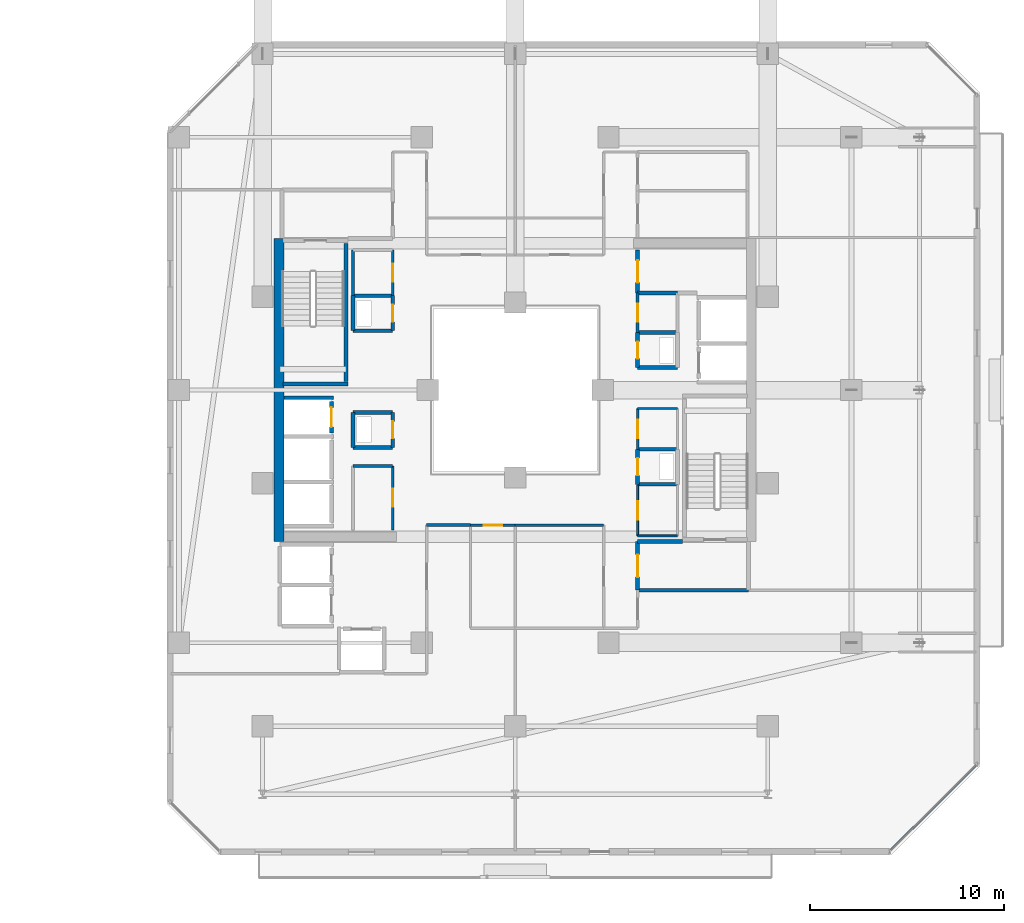
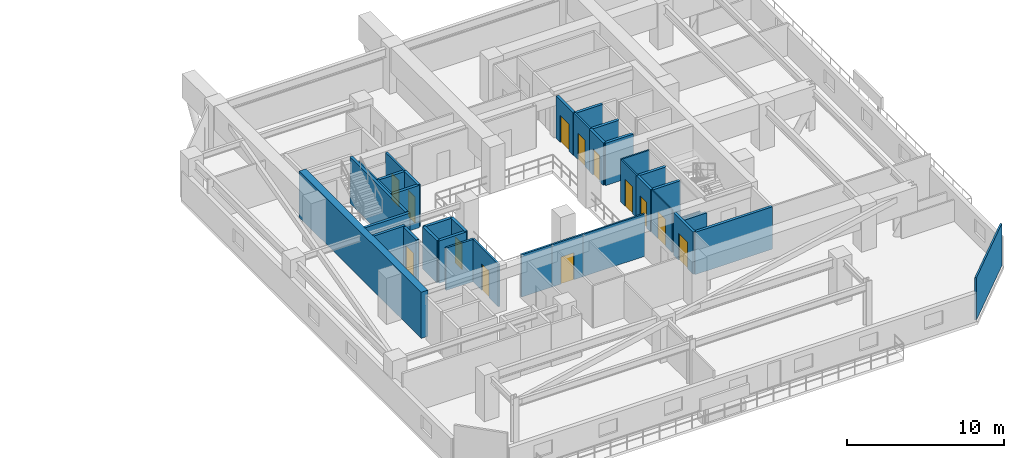
# One storey, part 25 of 35: 37 walls, 13 doors, 13 openings.
"""IFC4 building model written with IfcOpenShell, lengths in metres."""

import ifcopenshell
import ifcopenshell.guid

model = None  # the IFC model being written
_history = None  # IfcOwnerHistory: only IFC2X3 demands one
_inside = {}  # id of a spatial element -> (the spatial element, [elements in it])
_under = {}  # id of a project, library or spatial element -> (it, [spatial elements below it])
_declared = {}  # id of a project -> (the project, [libraries it declares])
_typed = {}  # id of a type object -> (the type object, [elements of that type])
_made_of = {}  # id of a material, layer set ... -> (it, [elements and type objects made of it])


def new_model(schema):
    """Start an empty IFC model of exactly this schema.

    Asked for "IFC4X3", IfcOpenShell would pick the latest addendum, in which some entities
    have other attributes; the version numbers below select the first issue.
    IFC2X3 requires an IfcOwnerHistory on every rooted entity: one is made here for all.
    """
    global model, _history
    if schema == "IFC4X3":
        model = ifcopenshell.file(schema_version=(4, 3, 0, 0))
    else:
        model = ifcopenshell.file(schema=schema)
    _inside.clear()
    _under.clear()
    _declared.clear()
    _typed.clear()
    _made_of.clear()
    _history = None
    if model.schema == "IFC2X3":
        org = make("IfcOrganization", Name="unknown")
        user = make(
            "IfcPersonAndOrganization",
            ThePerson=make("IfcPerson", FamilyName="unknown"),
            TheOrganization=org,
        )
        app = make(
            "IfcApplication",
            ApplicationDeveloper=org,
            Version="unknown",
            ApplicationFullName="unknown",
            ApplicationIdentifier="unknown",
        )
        _history = make(
            "IfcOwnerHistory",
            OwningUser=user,
            OwningApplication=app,
            ChangeAction="ADDED",
            CreationDate=0,
        )
    return model


def make(cls, **values):
    """One entity of the class cls with the attributes given. An attribute that is None is left unset."""
    return model.create_entity(
        cls, **{name: value for name, value in values.items() if value is not None}
    )


def rooted(cls, **values):
    """An entity with a GlobalId (a new one), such as an element, a storey or a relation."""
    return make(cls, GlobalId=ifcopenshell.guid.new(), OwnerHistory=_history, **values)


def si_unit(unit_type, name, prefix=None):
    """IfcSIUnit, for example si_unit("LENGTHUNIT", "METRE", prefix="MILLI")."""
    return make("IfcSIUnit", UnitType=unit_type, Prefix=prefix, Name=name)


def assignment(units):
    """IfcUnitAssignment: the units of a project."""
    return None if units is None else make("IfcUnitAssignment", Units=units)


def point(xyz):
    """IfcCartesianPoint."""
    return None if xyz is None else make("IfcCartesianPoint", Coordinates=xyz)


def direction(xyz):
    """IfcDirection."""
    return None if xyz is None else make("IfcDirection", DirectionRatios=xyz)


def frame(location, z_axis=None, x_axis=None):
    """IfcAxis2Placement3D, a coordinate frame: its origin and axes. An axis left out is left unset."""
    return make(
        "IfcAxis2Placement3D",
        Location=point(location),
        Axis=direction(z_axis),
        RefDirection=direction(x_axis),
    )


def frame_2d(location, x_axis=None):
    """IfcAxis2Placement2D, a coordinate frame in the plane: its origin and x axis."""
    return make(
        "IfcAxis2Placement2D", Location=point(location), RefDirection=direction(x_axis)
    )


def origin():
    """The frame at (0, 0, 0) with its axes left unset."""
    return frame((0.0, 0.0, 0.0))


def place(relative_to, where):
    """IfcLocalPlacement: puts the frame where relative to a parent placement (None: the world)."""
    return make(
        "IfcLocalPlacement", PlacementRelTo=relative_to, RelativePlacement=where
    )


def context(
    kind, dimensions, precision=None, world=None, true_north=None, identifier=None
):
    """IfcGeometricRepresentationContext, for example the 3D "Model" context."""
    return make(
        "IfcGeometricRepresentationContext",
        ContextIdentifier=identifier,
        ContextType=kind,
        CoordinateSpaceDimension=dimensions,
        Precision=precision,
        WorldCoordinateSystem=world,
        TrueNorth=true_north,
    )


def subcontext(parent, identifier, kind, view, scale=None):
    """IfcGeometricRepresentationSubContext, for example "Body" below "Model"."""
    return make(
        "IfcGeometricRepresentationSubContext",
        ContextIdentifier=identifier,
        ContextType=kind,
        ParentContext=parent,
        TargetScale=scale,
        TargetView=view,
    )


def project(units=None, contexts=None):
    """IfcProject with its units and contexts."""
    return rooted(
        "IfcProject",
        Name="project",
        RepresentationContexts=contexts,
        UnitsInContext=assignment(units),
    )


def spatial(cls, under=None, at=None, **own):
    """A site, building, storey or space (cls), placed at a placement, below another one or the project."""
    s = rooted(cls, ObjectPlacement=at, **own)
    if under is not None:
        _under.setdefault(under.id(), (under, []))[1].append(s)
    return s


def profile(cls, at=None, kind="AREA", **sizes):
    """A parametric profile (cls). Its sizes go by their IFC names, for example OverallWidth=200.0."""
    return make(cls, ProfileType=kind, Position=at, **sizes)


def rectangle(**sizes):
    """IfcRectangleProfileDef."""
    return profile("IfcRectangleProfileDef", **sizes)


def extrude(swept, where, along, depth):
    """IfcExtrudedAreaSolid: the profile swept, set in the frame where, extruded along a direction by depth."""
    return make(
        "IfcExtrudedAreaSolid",
        SweptArea=swept,
        Position=where,
        ExtrudedDirection=direction(along),
        Depth=depth,
    )


def shape(context_of_items, identifier, shape_type, items):
    """IfcShapeRepresentation: the items that make up one representation, for example the "Body"."""
    return make(
        "IfcShapeRepresentation",
        ContextOfItems=context_of_items,
        RepresentationIdentifier=identifier,
        RepresentationType=shape_type,
        Items=items,
    )


def material(Name=None, Category=None):
    """IfcMaterial."""
    return make("IfcMaterial", Name=Name, Category=Category)


def layer(
    of_material, thickness, ventilated=None, Name=None, Category=None, Priority=None
):
    """IfcMaterialLayer: one layer of a wall or slab, of a material (None: an air gap)."""
    return make(
        "IfcMaterialLayer",
        Material=of_material,
        LayerThickness=thickness,
        IsVentilated=ventilated,
        Name=Name,
        Category=Category,
        Priority=Priority,
    )


def layer_set(layers, Name=None):
    """IfcMaterialLayerSet."""
    return make("IfcMaterialLayerSet", MaterialLayers=layers, LayerSetName=Name)


def made_of(thing, what):
    """Note that an element or type object is made of a material, layer set ...; save() writes the relation."""
    if what is not None:
        _made_of.setdefault(what.id(), (what, []))[1].append(thing)
    return thing


def type_object(cls, material=None, **own):
    """A type object (cls), such as IfcWallType, which elements share."""
    return made_of(rooted(cls, **own), material)


def element(
    cls,
    number,
    at=None,
    inside=None,
    cuts=None,
    type_object=None,
    material=None,
    context=None,
    identifier="Body",
    shape_type=None,
    held_by="IfcProductDefinitionShape",
    body=None,
    shapes=None,
    **own,
):
    """One element of the class cls, such as IfcWall. Its Tag is "e" and its number.

    at: its placement. inside: the storey or other place that contains it. cuts: it is an
    opening in that element (IfcRelVoidsElement). A single representation is given by context,
    identifier, shape_type and body (its items); several are given by shapes. held_by: the class
    of the entity that holds the representations. save() writes the other relations.
    """
    e = rooted(cls, Tag="e%d" % number, ObjectPlacement=at, **own)
    if body is not None:
        shapes = [shape(context, identifier, shape_type, body)]
    if shapes is not None:
        e.Representation = make(held_by, Representations=shapes)
    if inside is not None:
        _inside.setdefault(inside.id(), (inside, []))[1].append(e)
    if cuts is not None:
        rooted(
            "IfcRelVoidsElement", RelatingBuildingElement=cuts, RelatedOpeningElement=e
        )
    if type_object is not None:
        _typed.setdefault(type_object.id(), (type_object, []))[1].append(e)
    return made_of(e, material)


def fill(opening, filler):
    """IfcRelFillsElement: the door or window that sits in an opening."""
    return rooted(
        "IfcRelFillsElement",
        RelatingOpeningElement=opening,
        RelatedBuildingElement=filler,
    )


def aggregate(whole, parts):
    """IfcRelAggregates: a whole, such as a stair, and the parts it consists of."""
    return rooted("IfcRelAggregates", RelatingObject=whole, RelatedObjects=parts)


def save(model, path):
    """Write the relations noted so far, then the file.

    IfcRelAggregates (storeys below a building ...), IfcRelContainedInSpatialStructure (elements
    in a storey), IfcRelDefinesByType, IfcRelAssociatesMaterial and IfcRelDeclares: one each for
    every whole, place, type object, material and project.
    """
    for whole, parts in _under.values():
        aggregate(whole, parts)
    for where, things in _inside.values():
        rooted(
            "IfcRelContainedInSpatialStructure",
            RelatedElements=things,
            RelatingStructure=where,
        )
    for kind, things in _typed.values():
        rooted("IfcRelDefinesByType", RelatedObjects=things, RelatingType=kind)
    for what, things in _made_of.values():
        rooted("IfcRelAssociatesMaterial", RelatedObjects=things, RelatingMaterial=what)
    for by, libraries in _declared.values():
        rooted("IfcRelDeclares", RelatingContext=by, RelatedDefinitions=libraries)
    model.write(path)


model = new_model("IFC4")

# Units and contexts
model_context = context("Model", 3, precision=1e-05, world=origin(), true_north=direction((0.0, 1.0)))
body_context = subcontext(model_context, "Body", "Model", "MODEL_VIEW")
ifc_project = project(units=[si_unit("LENGTHUNIT", "METRE"), si_unit("AREAUNIT", "SQUARE_METRE"), si_unit("VOLUMEUNIT", "CUBIC_METRE"), si_unit("PLANEANGLEUNIT", "RADIAN"), si_unit("MASSUNIT", "GRAM", prefix="KILO")], contexts=[model_context])

# Site, building, storey
site_placement = place(None, origin())
site = spatial("IfcSite", under=ifc_project, at=site_placement, CompositionType="ELEMENT")
building_placement = place(site_placement, origin())
building = spatial("IfcBuilding", under=site, at=building_placement, Name="Thornwick Lancets Civic Towers", CompositionType="ELEMENT")
storey_placement = place(building_placement, frame((0.0, 0.0, 145.5)))
storey = spatial("IfcBuildingStorey", under=building, at=storey_placement, Name="L38", CompositionType="ELEMENT", Elevation=145.5)

# Wall, opening, door
ifc_material_1 = material(Name="Concrete blockwork C40/50", Category="masonry")
ifc_layer_1 = layer(ifc_material_1, 0.199951171875, Name="Concrete blockwork C40/50")
ifc_layer_set_1 = layer_set([ifc_layer_1], Name="Concrete blockwork C40/50")
wall_type_1 = type_object("IfcWallType", Name="WALL_COMP_200", PredefinedType="STANDARD", material=ifc_layer_set_1)
wall_1_placement = place(storey_placement, frame((79.050048828125, 24.780029296875, 0.0), z_axis=(0.0, 0.0, 1.0), x_axis=(0.0, 1.0, 0.0)))
wall_1 = element("IfcWall", 1, at=wall_1_placement, inside=storey, type_object=wall_type_1, Name="L38 Hoistway Front Wall FL-B2", PredefinedType="STANDARD", context=body_context, shape_type="SweptSolid", body=[
    extrude(rectangle(XDim=1.639892578125, YDim=0.199951171875, at=frame_2d((0.81982421875, 0.0))), origin(), (0.0, 0.0, 1.0), 3.300048828125),
])
opening_1_placement = place(wall_1_placement, frame((0.31005859375, 0.0, 0.0)))
opening_1 = element("IfcOpeningElement", 2, at=opening_1_placement, cuts=wall_1, Name="Opening LD-FL-B2", PredefinedType="OPENING", context=body_context, shape_type="SweptSolid", body=[
    extrude(rectangle(XDim=1.02001953125, YDim=2.06005859375, at=frame_2d((0.510009765625, 1.030029296875))), frame((0.0, 0.10986328125, 0.0), z_axis=(0.0, -1.0, 0.0), x_axis=(1.0, 0.0, 0.0)), (0.0, 0.0, 1.0), 0.219970703125),
])
ifc_material_2 = material(Name="Brushed bronze stainless steel", Category="steel")
door_type_1 = type_object("IfcDoorType", Name="DOOR_LIFT_SLIDE", OperationType="SLIDING_TO_LEFT", PredefinedType="DOOR", material=ifc_material_2)
door_1_placement = place(opening_1_placement, origin())
door_1 = element("IfcDoor", 3, at=door_1_placement, inside=storey, type_object=door_type_1, Name="L38 Sliding Lift Landing Door LD-FL-B2", OperationType="SLIDING_TO_LEFT", OverallHeight=2.06005859375, OverallWidth=1.02001953125, PredefinedType="DOOR", context=body_context, shape_type="SweptSolid", body=[
    extrude(rectangle(XDim=1.02001953125, YDim=2.06005859375, at=frame_2d((0.510009765625, 1.030029296875))), frame((0.0, 0.02490234375, 0.0), z_axis=(0.0, -1.0, 0.0), x_axis=(1.0, 0.0, 0.0)), (0.0, 0.0, 1.0), 0.050048828125),
])
fill(opening_1, door_1)

# Walls
wall_2_placement = place(storey_placement, frame((76.612060546875, 26.60009765625, 0.0), z_axis=(0.0, 0.0, 1.0), x_axis=(1.0, 0.0, 0.0)))
element("IfcWall", 4, at=wall_2_placement, inside=storey, type_object=wall_type_1, Name="L38 Hoistway Shaft Wall FL-B2 N", PredefinedType="STANDARD", context=body_context, shape_type="SweptSolid", body=[
    extrude(rectangle(XDim=2.535888671875, YDim=0.199951171875, at=frame_2d((1.26806640625, 0.0))), origin(), (0.0, 0.0, 1.0), 3.300048828125),
])
wall_3_placement = place(storey_placement, frame((94.800048828125, 16.699951171875, 0.0), z_axis=(0.0, 0.0, 1.0), x_axis=(1.0, 0.0, 0.0)))
element("IfcWall", 5, at=wall_3_placement, inside=storey, type_object=wall_type_1, Name="L38 Partition L38-B-FFLOB1 E1", PredefinedType="STANDARD", context=body_context, shape_type="SweptSolid", body=[
    extrude(rectangle(XDim=5.699951171875, YDim=0.199951171875, at=frame_2d((2.85009765625, 0.0))), origin(), (0.0, 0.0, 1.0), 3.300048828125),
])
wall_4_placement = place(storey_placement, frame((97.10009765625, 19.199951171875, 0.0), z_axis=(0.0, 0.0, 1.0), x_axis=(-1.0, 0.0, 0.0)))
element("IfcWall", 6, at=wall_4_placement, inside=storey, type_object=wall_type_1, Name="L38 Partition L38-B-FFLOB1 E3", PredefinedType="STANDARD", context=body_context, shape_type="SweptSolid", body=[
    extrude(rectangle(XDim=2.300048828125, YDim=0.199951171875, at=frame_2d((1.14990234375, 0.0))), origin(), (0.0, 0.0, 1.0), 2.5048828125),
])

# Wall, opening, door
wall_5_placement = place(storey_placement, frame((94.800048828125, 19.199951171875, 0.0), z_axis=(0.0, 0.0, 1.0), x_axis=(0.0, -1.0, 0.0)))
wall_5 = element("IfcWall", 7, at=wall_5_placement, inside=storey, type_object=wall_type_1, Name="L38 Partition L38-B-FFLOB1 E4", PredefinedType="STANDARD", context=body_context, shape_type="SweptSolid", body=[
    extrude(rectangle(XDim=2.5, YDim=0.199951171875, at=frame_2d((1.25, 0.0))), origin(), (0.0, 0.0, 1.0), 3.300048828125),
])
opening_2_placement = place(wall_5_placement, frame((0.675048828125, 0.0, 0.0)))
opening_2 = element("IfcOpeningElement", 8, at=opening_2_placement, cuts=wall_5, Name="Opening D-L38-1719", PredefinedType="OPENING", context=body_context, shape_type="SweptSolid", body=[
    extrude(rectangle(XDim=1.14990234375, YDim=2.10009765625, at=frame_2d((0.574951171875, 1.050048828125))), frame((0.0, 0.10986328125, 0.0), z_axis=(0.0, -1.0, 0.0), x_axis=(1.0, 0.0, 0.0)), (0.0, 0.0, 1.0), 0.219970703125),
])
ifc_material_3 = material(Name="Glazed fire-resisting steel", Category="steel")
door_type_2 = type_object("IfcDoorType", Name="DOOR_LOBBY_FD60", OperationType="NOTDEFINED", PredefinedType="DOOR", material=ifc_material_3)
door_2_placement = place(opening_2_placement, origin())
door_2 = element("IfcDoor", 9, at=door_2_placement, inside=storey, type_object=door_type_2, Name="L38 East Firefighting Lobby 1 Door", OperationType="SINGLE_SWING_RIGHT", OverallHeight=2.10009765625, OverallWidth=1.14990234375, PredefinedType="DOOR", context=body_context, shape_type="SweptSolid", body=[
    extrude(rectangle(XDim=1.14990234375, YDim=2.10009765625, at=frame_2d((0.574951171875, 1.050048828125))), frame((0.0, 0.02490234375, 0.0), z_axis=(0.0, -1.0, 0.0), x_axis=(1.0, 0.0, 0.0)), (0.0, 0.0, 1.0), 0.050048828125),
])
fill(opening_2, door_2)

# Walls
for number, where, z_axis, x_axis, name in (
    (10, (94.800048828125, 28.14990234375, 0.0), (0.0, 0.0, 1.0), (1.0, 0.0, 0.0), "L38 Partition L38-B-DUCT1 E1"),
    (11, (96.85009765625, 29.949951171875, 0.0), (0.0, 0.0, 1.0), (-1.0, 0.0, 0.0), "L38 Partition L38-B-DUCT1 E3"),
):
    element("IfcWall", number, at=place(storey_placement, frame(where, z_axis=z_axis, x_axis=x_axis)), inside=storey, type_object=wall_type_1, Name=name, PredefinedType="STANDARD", context=body_context, shape_type="SweptSolid", body=[
        extrude(rectangle(XDim=2.050048828125, YDim=0.199951171875, at=frame_2d((1.02490234375, 0.0))), origin(), (0.0, 0.0, 1.0), 3.300048828125),
    ])

# Wall, opening, door
wall_6_placement = place(storey_placement, frame((94.800048828125, 29.949951171875, 0.0), z_axis=(0.0, 0.0, 1.0), x_axis=(0.0, -1.0, 0.0)))
wall_6 = element("IfcWall", 12, at=wall_6_placement, inside=storey, type_object=wall_type_1, Name="L38 Partition L38-B-DUCT1 E4", PredefinedType="STANDARD", context=body_context, shape_type="SweptSolid", body=[
    extrude(rectangle(XDim=1.800048828125, YDim=0.199951171875, at=frame_2d((0.89990234375, 0.0))), origin(), (0.0, 0.0, 1.0), 3.300048828125),
])
opening_3_placement = place(wall_6_placement, frame((0.4599609375, 0.0, 0.0)))
opening_3 = element("IfcOpeningElement", 13, at=opening_3_placement, cuts=wall_6, Name="Opening D-L38-1721", PredefinedType="OPENING", context=body_context, shape_type="SweptSolid", body=[
    extrude(rectangle(XDim=0.8798828125, YDim=2.0400390625, at=frame_2d((0.43994140625, 1.02001953125))), frame((0.0, 0.10986328125, 0.0), z_axis=(0.0, -1.0, 0.0), x_axis=(1.0, 0.0, 0.0)), (0.0, 0.0, 1.0), 0.219970703125),
])
ifc_material_4 = material(Name="Steel riser access doorset", Category="steel")
door_type_3 = type_object("IfcDoorType", Name="DOOR_RISER_850", OperationType="NOTDEFINED", PredefinedType="DOOR", material=ifc_material_4)
door_3_placement = place(opening_3_placement, origin())
door_3 = element("IfcDoor", 14, at=door_3_placement, inside=storey, type_object=door_type_3, Name="L38 East Service Duct 1 Door", OperationType="SINGLE_SWING_RIGHT", OverallHeight=2.0400390625, OverallWidth=0.8798828125, PredefinedType="DOOR", context=body_context, shape_type="SweptSolid", body=[
    extrude(rectangle(XDim=0.8798828125, YDim=2.0400390625, at=frame_2d((0.43994140625, 1.02001953125))), frame((0.0, 0.02490234375, 0.0), z_axis=(0.0, -1.0, 0.0), x_axis=(1.0, 0.0, 0.0)), (0.0, 0.0, 1.0), 0.050048828125),
])
fill(opening_3, door_3)

# Walls
for number, where, z_axis, x_axis, name in (
    (15, (94.800048828125, 22.14990234375, 0.0), (0.0, 0.0, 1.0), (1.0, 0.0, 0.0), "L38 Partition L38-B-RISER1 E1"),
    (16, (96.85009765625, 23.949951171875, 0.0), (0.0, 0.0, 1.0), (-1.0, 0.0, 0.0), "L38 Partition L38-B-RISER1 E3"),
):
    element("IfcWall", number, at=place(storey_placement, frame(where, z_axis=z_axis, x_axis=x_axis)), inside=storey, type_object=wall_type_1, Name=name, PredefinedType="STANDARD", context=body_context, shape_type="SweptSolid", body=[
        extrude(rectangle(XDim=2.050048828125, YDim=0.199951171875, at=frame_2d((1.02490234375, 0.0))), origin(), (0.0, 0.0, 1.0), 3.300048828125),
    ])

# Wall, opening, door
wall_7_placement = place(storey_placement, frame((94.800048828125, 23.949951171875, 0.0), z_axis=(0.0, 0.0, 1.0), x_axis=(0.0, -1.0, 0.0)))
wall_7 = element("IfcWall", 17, at=wall_7_placement, inside=storey, type_object=wall_type_1, Name="L38 Partition L38-B-RISER1 E4", PredefinedType="STANDARD", context=body_context, shape_type="SweptSolid", body=[
    extrude(rectangle(XDim=1.800048828125, YDim=0.199951171875, at=frame_2d((0.89990234375, 0.0))), origin(), (0.0, 0.0, 1.0), 3.300048828125),
])
opening_4_placement = place(wall_7_placement, frame((0.4599609375, 0.0, 0.0)))
opening_4 = element("IfcOpeningElement", 18, at=opening_4_placement, cuts=wall_7, Name="Opening D-L38-1722", PredefinedType="OPENING", context=body_context, shape_type="SweptSolid", body=[
    extrude(rectangle(XDim=0.8798828125, YDim=2.0400390625, at=frame_2d((0.43994140625, 1.02001953125))), frame((0.0, 0.10986328125, 0.0), z_axis=(0.0, -1.0, 0.0), x_axis=(1.0, 0.0, 0.0)), (0.0, 0.0, 1.0), 0.219970703125),
])
door_4_placement = place(opening_4_placement, origin())
door_4 = element("IfcDoor", 19, at=door_4_placement, inside=storey, type_object=door_type_3, Name="L38 East Electrical Riser 1 Door", OperationType="SINGLE_SWING_LEFT", OverallHeight=2.0400390625, OverallWidth=0.8798828125, PredefinedType="DOOR", context=body_context, shape_type="SweptSolid", body=[
    extrude(rectangle(XDim=0.8798828125, YDim=2.0400390625, at=frame_2d((0.43994140625, 1.02001953125))), frame((0.0, 0.02490234375, 0.0), z_axis=(0.0, -1.0, 0.0), x_axis=(1.0, 0.0, 0.0)), (0.0, 0.0, 1.0), 0.050048828125),
])
fill(opening_4, door_4)

# Wall
wall_8_placement = place(storey_placement, frame((80.14990234375, 24.050048828125, 0.0), z_axis=(0.0, 0.0, 1.0), x_axis=(1.0, 0.0, 0.0)))
element("IfcWall", 20, at=wall_8_placement, inside=storey, type_object=wall_type_1, Name="L38 Partition L38-B-DUCT2 E1", PredefinedType="STANDARD", context=body_context, shape_type="SweptSolid", body=[
    extrude(rectangle(XDim=2.050048828125, YDim=0.199951171875, at=frame_2d((1.02490234375, 0.0))), origin(), (0.0, 0.0, 1.0), 3.300048828125),
])

# Wall, opening, door
wall_9_placement = place(storey_placement, frame((82.199951171875, 24.050048828125, 0.0), z_axis=(0.0, 0.0, 1.0), x_axis=(0.0, 1.0, 0.0)))
wall_9 = element("IfcWall", 21, at=wall_9_placement, inside=storey, type_object=wall_type_1, Name="L38 Partition L38-B-DUCT2 E2", PredefinedType="STANDARD", context=body_context, shape_type="SweptSolid", body=[
    extrude(rectangle(XDim=1.800048828125, YDim=0.199951171875, at=frame_2d((0.89990234375, 0.0))), origin(), (0.0, 0.0, 1.0), 3.300048828125),
])
opening_5_placement = place(wall_9_placement, frame((0.4599609375, 0.0, 0.0)))
opening_5 = element("IfcOpeningElement", 22, at=opening_5_placement, cuts=wall_9, Name="Opening D-L38-1723", PredefinedType="OPENING", context=body_context, shape_type="SweptSolid", body=[
    extrude(rectangle(XDim=0.8798828125, YDim=2.0400390625, at=frame_2d((0.43994140625, 1.02001953125))), frame((0.0, 0.10986328125, 0.0), z_axis=(0.0, -1.0, 0.0), x_axis=(1.0, 0.0, 0.0)), (0.0, 0.0, 1.0), 0.219970703125),
])
door_5_placement = place(opening_5_placement, origin())
door_5 = element("IfcDoor", 23, at=door_5_placement, inside=storey, type_object=door_type_3, Name="L38 West Service Duct 2 Door", OperationType="SINGLE_SWING_RIGHT", OverallHeight=2.0400390625, OverallWidth=0.8798828125, PredefinedType="DOOR", context=body_context, shape_type="SweptSolid", body=[
    extrude(rectangle(XDim=0.8798828125, YDim=2.0400390625, at=frame_2d((0.43994140625, 1.02001953125))), frame((0.0, 0.02490234375, 0.0), z_axis=(0.0, -1.0, 0.0), x_axis=(1.0, 0.0, 0.0)), (0.0, 0.0, 1.0), 0.050048828125),
])
fill(opening_5, door_5)

# Walls
wall_10_placement = place(storey_placement, frame((82.199951171875, 25.85009765625, 0.0), z_axis=(0.0, 0.0, 1.0), x_axis=(-1.0, 0.0, 0.0)))
element("IfcWall", 24, at=wall_10_placement, inside=storey, type_object=wall_type_1, Name="L38 Partition L38-B-DUCT2 E3", PredefinedType="STANDARD", context=body_context, shape_type="SweptSolid", body=[
    extrude(rectangle(XDim=2.050048828125, YDim=0.199951171875, at=frame_2d((1.02490234375, 0.0))), origin(), (0.0, 0.0, 1.0), 3.300048828125),
])
wall_11_placement = place(storey_placement, frame((80.14990234375, 25.85009765625, 0.0), z_axis=(0.0, 0.0, 1.0), x_axis=(0.0, -1.0, 0.0)))
element("IfcWall", 25, at=wall_11_placement, inside=storey, type_object=wall_type_1, Name="L38 Partition L38-B-DUCT2 E4", PredefinedType="STANDARD", context=body_context, shape_type="SweptSolid", body=[
    extrude(rectangle(XDim=1.800048828125, YDim=0.199951171875, at=frame_2d((0.89990234375, 0.0))), origin(), (0.0, 0.0, 1.0), 3.300048828125),
])
wall_12_placement = place(storey_placement, frame((80.14990234375, 30.050048828125, 0.0), z_axis=(0.0, 0.0, 1.0), x_axis=(1.0, 0.0, 0.0)))
element("IfcWall", 26, at=wall_12_placement, inside=storey, type_object=wall_type_1, Name="L38 Partition L38-B-RISER2 E1", PredefinedType="STANDARD", context=body_context, shape_type="SweptSolid", body=[
    extrude(rectangle(XDim=2.050048828125, YDim=0.199951171875, at=frame_2d((1.02490234375, 0.0))), origin(), (0.0, 0.0, 1.0), 3.300048828125),
])

# Wall, opening, door
wall_13_placement = place(storey_placement, frame((82.199951171875, 30.050048828125, 0.0), z_axis=(0.0, 0.0, 1.0), x_axis=(0.0, 1.0, 0.0)))
wall_13 = element("IfcWall", 27, at=wall_13_placement, inside=storey, type_object=wall_type_1, Name="L38 Partition L38-B-RISER2 E2", PredefinedType="STANDARD", context=body_context, shape_type="SweptSolid", body=[
    extrude(rectangle(XDim=1.800048828125, YDim=0.199951171875, at=frame_2d((0.89990234375, 0.0))), origin(), (0.0, 0.0, 1.0), 3.300048828125),
])
opening_6_placement = place(wall_13_placement, frame((0.4599609375, 0.0, 0.0)))
opening_6 = element("IfcOpeningElement", 28, at=opening_6_placement, cuts=wall_13, Name="Opening D-L38-1724", PredefinedType="OPENING", context=body_context, shape_type="SweptSolid", body=[
    extrude(rectangle(XDim=0.8798828125, YDim=2.0400390625, at=frame_2d((0.43994140625, 1.02001953125))), frame((0.0, 0.10986328125, 0.0), z_axis=(0.0, -1.0, 0.0), x_axis=(1.0, 0.0, 0.0)), (0.0, 0.0, 1.0), 0.219970703125),
])
door_6_placement = place(opening_6_placement, origin())
door_6 = element("IfcDoor", 29, at=door_6_placement, inside=storey, type_object=door_type_3, Name="L38 West Service Riser 2 Door", OperationType="SINGLE_SWING_LEFT", OverallHeight=2.0400390625, OverallWidth=0.8798828125, PredefinedType="DOOR", context=body_context, shape_type="SweptSolid", body=[
    extrude(rectangle(XDim=0.8798828125, YDim=2.0400390625, at=frame_2d((0.43994140625, 1.02001953125))), frame((0.0, 0.02490234375, 0.0), z_axis=(0.0, -1.0, 0.0), x_axis=(1.0, 0.0, 0.0)), (0.0, 0.0, 1.0), 0.050048828125),
])
fill(opening_6, door_6)

# Walls
wall_14_placement = place(storey_placement, frame((82.199951171875, 31.85009765625, 0.0), z_axis=(0.0, 0.0, 1.0), x_axis=(-1.0, 0.0, 0.0)))
element("IfcWall", 30, at=wall_14_placement, inside=storey, type_object=wall_type_1, Name="L38 Partition L38-B-RISER2 E3", PredefinedType="STANDARD", context=body_context, shape_type="SweptSolid", body=[
    extrude(rectangle(XDim=2.050048828125, YDim=0.199951171875, at=frame_2d((1.02490234375, 0.0))), origin(), (0.0, 0.0, 1.0), 3.300048828125),
])
wall_15_placement = place(storey_placement, frame((80.14990234375, 31.85009765625, 0.0), z_axis=(0.0, 0.0, 1.0), x_axis=(0.0, -1.0, 0.0)))
element("IfcWall", 31, at=wall_15_placement, inside=storey, type_object=wall_type_1, Name="L38 Partition L38-B-RISER2 E4", PredefinedType="STANDARD", context=body_context, shape_type="SweptSolid", body=[
    extrude(rectangle(XDim=1.800048828125, YDim=0.199951171875, at=frame_2d((0.89990234375, 0.0))), origin(), (0.0, 0.0, 1.0), 3.300048828125),
])

# Wall, opening, door
wall_16_placement = place(storey_placement, frame((94.800048828125, 32.0, 0.0), z_axis=(0.0, 0.0, 1.0), x_axis=(0.0, 1.0, 0.0)))
wall_16 = element("IfcWall", 32, at=wall_16_placement, inside=storey, type_object=wall_type_1, Name="L38 Partition L38-B-STR2 E1", PredefinedType="STANDARD", context=body_context, shape_type="SweptSolid", body=[
    extrude(rectangle(XDim=2.199951171875, YDim=0.199951171875, at=frame_2d((1.10009765625, 0.0))), origin(), (0.0, 0.0, 1.0), 3.300048828125),
])
opening_7_placement = place(wall_16_placement, frame((0.52490234375, 0.0, 0.0)))
opening_7 = element("IfcOpeningElement", 33, at=opening_7_placement, cuts=wall_16, Name="Opening D-L38-1728", PredefinedType="OPENING", context=body_context, shape_type="SweptSolid", body=[
    extrude(rectangle(XDim=1.14990234375, YDim=2.10009765625, at=frame_2d((0.574951171875, 1.050048828125))), frame((0.0, 0.10986328125, 0.0), z_axis=(0.0, -1.0, 0.0), x_axis=(1.0, 0.0, 0.0)), (0.0, 0.0, 1.0), 0.219970703125),
])
door_7_placement = place(opening_7_placement, origin())
door_7 = element("IfcDoor", 34, at=door_7_placement, inside=storey, type_object=door_type_2, Name="L38 Tower B Core Supplies Store Door", OperationType="SINGLE_SWING_LEFT", OverallHeight=2.10009765625, OverallWidth=1.14990234375, PredefinedType="DOOR", context=body_context, shape_type="SweptSolid", body=[
    extrude(rectangle(XDim=1.14990234375, YDim=2.10009765625, at=frame_2d((0.574951171875, 1.050048828125))), frame((0.0, 0.02490234375, 0.0), z_axis=(0.0, -1.0, 0.0), x_axis=(1.0, 0.0, 0.0)), (0.0, 0.0, 1.0), 0.050048828125),
])
fill(opening_7, door_7)

# Walls
wall_17_placement = place(storey_placement, frame((96.85009765625, 32.0, 0.0), z_axis=(0.0, 0.0, 1.0), x_axis=(-1.0, 0.0, 0.0)))
element("IfcWall", 35, at=wall_17_placement, inside=storey, type_object=wall_type_1, Name="L38 Partition L38-B-STR2 E5", PredefinedType="STANDARD", context=body_context, shape_type="SweptSolid", body=[
    extrude(rectangle(XDim=2.050048828125, YDim=0.199951171875, at=frame_2d((1.02490234375, 0.0))), origin(), (0.0, 0.0, 1.0), 3.300048828125),
])
ifc_material_5 = material(Name="Concrete C50/60", Category="concrete")
ifc_layer_2 = layer(ifc_material_5, 0.5, Name="Concrete C50/60")
ifc_layer_set_2 = layer_set([ifc_layer_2], Name="Concrete C50/60")
wall_type_2 = type_object("IfcWallType", Name="WALL_CORE_500", PredefinedType="SHEAR", material=ifc_layer_set_2)
wall_18_placement = place(storey_placement, frame((76.35009765625, 19.199951171875, 0.0), z_axis=(0.0, 0.0, 1.0), x_axis=(0.0, 1.0, 0.0)))
element("IfcWall", 36, at=wall_18_placement, inside=storey, type_object=wall_type_2, Name="L38 Split Core B2 Shear Wall W", PredefinedType="SHEAR", context=body_context, shape_type="SweptSolid", body=[
    extrude(rectangle(XDim=15.60009765625, YDim=0.5, at=frame_2d((7.800048828125, 0.0))), origin(), (0.0, 0.0, 1.0), 3.60009765625),
])
ifc_material_6 = material(Name="Lightweight cellular office partition")
ifc_layer_3 = layer(ifc_material_6, 0.10009765625, Name="Lightweight cellular office partition")
ifc_layer_set_3 = layer_set([ifc_layer_3], Name="Lightweight cellular office partition")
wall_type_3 = type_object("IfcWallType", Name="WALL_PART_100", PredefinedType="PARTITIONING", material=ifc_layer_set_3)
wall_19_placement = place(storey_placement, frame((94.800048828125, 19.5, 0.0), z_axis=(0.0, 0.0, 1.0), x_axis=(1.0, 0.0, 0.0)))
element("IfcWall", 37, at=wall_19_placement, inside=storey, type_object=wall_type_3, Name="L38 Partition L38-B-CLN E1", PredefinedType="PARTITIONING", context=body_context, shape_type="SweptSolid", body=[
    extrude(rectangle(XDim=2.050048828125, YDim=0.10009765625, at=frame_2d((1.02490234375, 0.0))), origin(), (0.0, 0.0, 1.0), 2.5048828125),
])

# Wall, opening, door
wall_20_placement = place(storey_placement, frame((94.800048828125, 22.10009765625, 0.0), z_axis=(0.0, 0.0, 1.0), x_axis=(0.0, -1.0, 0.0)))
wall_20 = element("IfcWall", 38, at=wall_20_placement, inside=storey, type_object=wall_type_3, Name="L38 Partition L38-B-CLN E4", PredefinedType="PARTITIONING", context=body_context, shape_type="SweptSolid", body=[
    extrude(rectangle(XDim=2.60009765625, YDim=0.10009765625, at=frame_2d((1.300048828125, 0.0))), origin(), (0.0, 0.0, 1.0), 3.300048828125),
])
opening_8_placement = place(wall_20_placement, frame((0.824951171875, 0.0, 0.0)))
opening_8 = element("IfcOpeningElement", 39, at=opening_8_placement, cuts=wall_20, Name="Opening D-L38-1725", PredefinedType="OPENING", context=body_context, shape_type="SweptSolid", body=[
    extrude(rectangle(XDim=0.949951171875, YDim=2.10009765625, at=frame_2d((0.47509765625, 1.050048828125))), frame((0.0, 0.06005859375, 0.0), z_axis=(0.0, -1.0, 0.0), x_axis=(1.0, 0.0, 0.0)), (0.0, 0.0, 1.0), 0.1201171875),
])
ifc_material_7 = material(Name="European oak acoustic doorset")
door_type_4 = type_object("IfcDoorType", Name="DOOR_OFFICE_950", OperationType="NOTDEFINED", PredefinedType="DOOR", material=ifc_material_7)
door_8_placement = place(opening_8_placement, origin())
door_8 = element("IfcDoor", 40, at=door_8_placement, inside=storey, type_object=door_type_4, Name="L38 Tower B Cleaners Store Door", OperationType="SINGLE_SWING_RIGHT", OverallHeight=2.10009765625, OverallWidth=0.949951171875, PredefinedType="DOOR", context=body_context, shape_type="SweptSolid", body=[
    extrude(rectangle(XDim=0.949951171875, YDim=2.10009765625, at=frame_2d((0.47509765625, 1.050048828125))), frame((0.0, 0.02490234375, 0.0), z_axis=(0.0, -1.0, 0.0), x_axis=(1.0, 0.0, 0.0)), (0.0, 0.0, 1.0), 0.050048828125),
])
fill(opening_8, door_8)

ifc_material_8 = material(Name="Acoustic gypsum board partition")
ifc_layer_4 = layer(ifc_material_8, 0.1201171875, Name="Acoustic gypsum board partition")
ifc_layer_set_4 = layer_set([ifc_layer_4], Name="Acoustic gypsum board partition")
wall_type_4 = type_object("IfcWallType", Name="WALL_PART_120", PredefinedType="PARTITIONING", material=ifc_layer_set_4)
wall_21_placement = place(storey_placement, frame((94.800048828125, 23.949951171875, 0.0), z_axis=(0.0, 0.0, 1.0), x_axis=(0.0, 1.0, 0.0)))
wall_21 = element("IfcWall", 41, at=wall_21_placement, inside=storey, type_object=wall_type_4, Name="L38 Partition L38-B-ITR E1", PredefinedType="PARTITIONING", context=body_context, shape_type="SweptSolid", body=[
    extrude(rectangle(XDim=2.10009765625, YDim=0.1201171875, at=frame_2d((1.050048828125, 0.0))), origin(), (0.0, 0.0, 1.0), 3.300048828125),
])
opening_9_placement = place(wall_21_placement, frame((0.574951171875, 0.0, 0.0)))
opening_9 = element("IfcOpeningElement", 42, at=opening_9_placement, cuts=wall_21, Name="Opening D-L38-1726", PredefinedType="OPENING", context=body_context, shape_type="SweptSolid", body=[
    extrude(rectangle(XDim=0.949951171875, YDim=2.10009765625, at=frame_2d((0.47509765625, 1.050048828125))), frame((0.0, 0.070068359375, 0.0), z_axis=(0.0, -1.0, 0.0), x_axis=(1.0, 0.0, 0.0)), (0.0, 0.0, 1.0), 0.14013671875),
])
door_9_placement = place(opening_9_placement, origin())
door_9 = element("IfcDoor", 43, at=door_9_placement, inside=storey, type_object=door_type_4, Name="L38 Tower B Comms Patch Room Door", OperationType="SINGLE_SWING_LEFT", OverallHeight=2.10009765625, OverallWidth=0.949951171875, PredefinedType="DOOR", context=body_context, shape_type="SweptSolid", body=[
    extrude(rectangle(XDim=0.949951171875, YDim=2.10009765625, at=frame_2d((0.47509765625, 1.050048828125))), frame((0.0, 0.02490234375, 0.0), z_axis=(0.0, -1.0, 0.0), x_axis=(1.0, 0.0, 0.0)), (0.0, 0.0, 1.0), 0.050048828125),
])
fill(opening_9, door_9)

# Walls
wall_22_placement = place(storey_placement, frame((94.800048828125, 26.050048828125, 0.0), z_axis=(0.0, 0.0, 1.0), x_axis=(1.0, 0.0, 0.0)))
element("IfcWall", 44, at=wall_22_placement, inside=storey, type_object=wall_type_4, Name="L38 Partition L38-B-ITR E2", PredefinedType="PARTITIONING", context=body_context, shape_type="SweptSolid", body=[
    extrude(rectangle(XDim=2.050048828125, YDim=0.1201171875, at=frame_2d((1.02490234375, 0.0))), origin(), (0.0, 0.0, 1.0), 3.300048828125),
])
wall_23_placement = place(storey_placement, frame((112.219970703125, 7.712646484375, 0.0), z_axis=(0.0, 0.0, 1.0), x_axis=(-0.707106781187, -0.707106781187, 0.0)))
element("IfcWall", 45, at=wall_23_placement, inside=storey, type_object=wall_type_4, Name="L38 Partition L38-B-W1 E13", PredefinedType="PARTITIONING", context=body_context, shape_type="SweptSolid", body=[
    extrude(rectangle(XDim=6.2685546875, YDim=0.1201171875, at=frame_2d((3.13427734375, 0.0))), origin(), (0.0, 0.0, 1.0), 3.300048828125),
])
wall_24_placement = place(storey_placement, frame((88.5, 20.050048828125, 0.0), z_axis=(0.0, 0.0, 1.0), x_axis=(1.0, 0.0, 0.0)))
element("IfcWall", 46, at=wall_24_placement, inside=storey, type_object=wall_type_4, Name="L38 Partition L38-B-W2 E2", PredefinedType="PARTITIONING", context=body_context, shape_type="SweptSolid", body=[
    extrude(rectangle(XDim=4.550048828125, YDim=0.1201171875, at=frame_2d((2.27490234375, 0.0))), origin(), (0.0, 0.0, 1.0), 3.300048828125),
])

# Wall, opening, door
wall_25_placement = place(storey_placement, frame((86.199951171875, 20.050048828125, 0.0), z_axis=(0.0, 0.0, 1.0), x_axis=(1.0, 0.0, 0.0)))
wall_25 = element("IfcWall", 47, at=wall_25_placement, inside=storey, type_object=wall_type_4, Name="L38 Partition L38-B-W3 E2", PredefinedType="PARTITIONING", context=body_context, shape_type="SweptSolid", body=[
    extrude(rectangle(XDim=2.300048828125, YDim=0.1201171875, at=frame_2d((1.14990234375, 0.0))), origin(), (0.0, 0.0, 1.0), 3.300048828125),
])
opening_10_placement = place(wall_25_placement, frame((0.675048828125, 0.0, 0.0)))
opening_10 = element("IfcOpeningElement", 48, at=opening_10_placement, cuts=wall_25, Name="Opening D-L38-1745", PredefinedType="OPENING", context=body_context, shape_type="SweptSolid", body=[
    extrude(rectangle(XDim=0.949951171875, YDim=2.10009765625, at=frame_2d((0.47509765625, 1.050048828125))), frame((0.0, 0.070068359375, 0.0), z_axis=(0.0, -1.0, 0.0), x_axis=(1.0, 0.0, 0.0)), (0.0, 0.0, 1.0), 0.14013671875),
])
door_10_placement = place(opening_10_placement, origin())
door_10 = element("IfcDoor", 49, at=door_10_placement, inside=storey, type_object=door_type_4, Name="L38 Tower B Staff Tea Pantry and Lounge Door", OperationType="SINGLE_SWING_RIGHT", OverallHeight=2.10009765625, OverallWidth=0.949951171875, PredefinedType="DOOR", context=body_context, shape_type="SweptSolid", body=[
    extrude(rectangle(XDim=0.949951171875, YDim=2.10009765625, at=frame_2d((0.47509765625, 1.050048828125))), frame((0.0, 0.02490234375, 0.0), z_axis=(0.0, -1.0, 0.0), x_axis=(1.0, 0.0, 0.0)), (0.0, 0.0, 1.0), 0.050048828125),
])
fill(opening_10, door_10)

ifc_material_9 = material(Name="Twin-stud acoustic gypsum board")
ifc_layer_5 = layer(ifc_material_9, 0.14990234375, Name="Twin-stud acoustic gypsum board")
ifc_layer_set_5 = layer_set([ifc_layer_5], Name="Twin-stud acoustic gypsum board")
wall_type_5 = type_object("IfcWallType", Name="WALL_PART_150", PredefinedType="PARTITIONING", material=ifc_layer_set_5)
wall_26_placement = place(storey_placement, frame((94.800048828125, 29.949951171875, 0.0), z_axis=(0.0, 0.0, 1.0), x_axis=(0.0, 1.0, 0.0)))
wall_26 = element("IfcWall", 50, at=wall_26_placement, inside=storey, type_object=wall_type_5, Name="L38 Partition L38-B-AWC E1", PredefinedType="PARTITIONING", context=body_context, shape_type="SweptSolid", body=[
    extrude(rectangle(XDim=2.050048828125, YDim=0.14990234375, at=frame_2d((1.02490234375, 0.0))), origin(), (0.0, 0.0, 1.0), 3.300048828125),
])
opening_11_placement = place(wall_26_placement, frame((0.56494140625, 0.0, 0.0)))
opening_11 = element("IfcOpeningElement", 51, at=opening_11_placement, cuts=wall_26, Name="Opening D-L38-1727", PredefinedType="OPENING", context=body_context, shape_type="SweptSolid", body=[
    extrude(rectangle(XDim=0.919921875, YDim=2.080078125, at=frame_2d((0.4599609375, 1.0400390625))), frame((0.0, 0.0849609375, 0.0), z_axis=(0.0, -1.0, 0.0), x_axis=(1.0, 0.0, 0.0)), (0.0, 0.0, 1.0), 0.169921875),
])
ifc_material_10 = material(Name="Moisture-resistant oak doorset")
door_type_5 = type_object("IfcDoorType", Name="DOOR_WC_900", OperationType="NOTDEFINED", PredefinedType="DOOR", material=ifc_material_10)
door_11_placement = place(opening_11_placement, origin())
door_11 = element("IfcDoor", 52, at=door_11_placement, inside=storey, type_object=door_type_5, Name="L38 Tower B Accessible WC Door", OperationType="SINGLE_SWING_RIGHT", OverallHeight=2.080078125, OverallWidth=0.919921875, PredefinedType="DOOR", context=body_context, shape_type="SweptSolid", body=[
    extrude(rectangle(XDim=0.919921875, YDim=2.080078125, at=frame_2d((0.4599609375, 1.0400390625))), frame((0.0, 0.02490234375, 0.0), z_axis=(0.0, -1.0, 0.0), x_axis=(1.0, 0.0, 0.0)), (0.0, 0.0, 1.0), 0.050048828125),
])
fill(opening_11, door_11)

wall_27_placement = place(storey_placement, frame((82.199951171875, 19.800048828125, 0.0), z_axis=(0.0, 0.0, 1.0), x_axis=(0.0, 1.0, 0.0)))
wall_27 = element("IfcWall", 53, at=wall_27_placement, inside=storey, type_object=wall_type_5, Name="L38 Partition L38-B-MWC E2", PredefinedType="PARTITIONING", context=body_context, shape_type="SweptSolid", body=[
    extrude(rectangle(XDim=3.300048828125, YDim=0.14990234375, at=frame_2d((1.64990234375, 0.0))), origin(), (0.0, 0.0, 1.0), 3.300048828125),
])
opening_12_placement = place(wall_27_placement, frame((1.18994140625, 0.0, 0.0)))
opening_12 = element("IfcOpeningElement", 54, at=opening_12_placement, cuts=wall_27, Name="Opening D-L38-1729", PredefinedType="OPENING", context=body_context, shape_type="SweptSolid", body=[
    extrude(rectangle(XDim=0.919921875, YDim=2.080078125, at=frame_2d((0.4599609375, 1.0400390625))), frame((0.0, 0.0849609375, 0.0), z_axis=(0.0, -1.0, 0.0), x_axis=(1.0, 0.0, 0.0)), (0.0, 0.0, 1.0), 0.169921875),
])
door_12_placement = place(opening_12_placement, origin())
door_12 = element("IfcDoor", 55, at=door_12_placement, inside=storey, type_object=door_type_5, Name="L38 Tower B Male WC Door", OperationType="SINGLE_SWING_RIGHT", OverallHeight=2.080078125, OverallWidth=0.919921875, PredefinedType="DOOR", context=body_context, shape_type="SweptSolid", body=[
    extrude(rectangle(XDim=0.919921875, YDim=2.080078125, at=frame_2d((0.4599609375, 1.0400390625))), frame((0.0, 0.02490234375, 0.0), z_axis=(0.0, -1.0, 0.0), x_axis=(1.0, 0.0, 0.0)), (0.0, 0.0, 1.0), 0.050048828125),
])
fill(opening_12, door_12)

# Walls
wall_28_placement = place(storey_placement, frame((82.199951171875, 23.10009765625, 0.0), z_axis=(0.0, 0.0, 1.0), x_axis=(-1.0, 0.0, 0.0)))
element("IfcWall", 56, at=wall_28_placement, inside=storey, type_object=wall_type_5, Name="L38 Partition L38-B-MWC E3", PredefinedType="PARTITIONING", context=body_context, shape_type="SweptSolid", body=[
    extrude(rectangle(XDim=2.050048828125, YDim=0.14990234375, at=frame_2d((1.02490234375, 0.0))), origin(), (0.0, 0.0, 1.0), 3.300048828125),
])
wall_29_placement = place(storey_placement, frame((80.14990234375, 31.85009765625, 0.0), z_axis=(0.0, 0.0, 1.0), x_axis=(0.0, 1.0, 0.0)))
element("IfcWall", 57, at=wall_29_placement, inside=storey, type_object=wall_type_5, Name="L38 Partition L38-B-FWC E1", PredefinedType="PARTITIONING", context=body_context, shape_type="SweptSolid", body=[
    extrude(rectangle(XDim=2.349853515625, YDim=0.14990234375, at=frame_2d((1.1748046875, 0.0))), origin(), (0.0, 0.0, 1.0), 3.300048828125),
])

# Wall, opening, door
wall_30_placement = place(storey_placement, frame((82.199951171875, 34.199951171875, 0.0), z_axis=(0.0, 0.0, 1.0), x_axis=(0.0, -1.0, 0.0)))
wall_30 = element("IfcWall", 58, at=wall_30_placement, inside=storey, type_object=wall_type_5, Name="L38 Partition L38-B-FWC E3", PredefinedType="PARTITIONING", context=body_context, shape_type="SweptSolid", body=[
    extrude(rectangle(XDim=2.349853515625, YDim=0.14990234375, at=frame_2d((1.1748046875, 0.0))), origin(), (0.0, 0.0, 1.0), 3.300048828125),
])
opening_13_placement = place(wall_30_placement, frame((0.715087890625, 0.0, 0.0)))
opening_13 = element("IfcOpeningElement", 59, at=opening_13_placement, cuts=wall_30, Name="Opening D-L38-1730", PredefinedType="OPENING", context=body_context, shape_type="SweptSolid", body=[
    extrude(rectangle(XDim=0.919921875, YDim=2.080078125, at=frame_2d((0.4599609375, 1.0400390625))), frame((0.0, 0.0849609375, 0.0), z_axis=(0.0, -1.0, 0.0), x_axis=(1.0, 0.0, 0.0)), (0.0, 0.0, 1.0), 0.169921875),
])
door_13_placement = place(opening_13_placement, origin())
door_13 = element("IfcDoor", 60, at=door_13_placement, inside=storey, type_object=door_type_5, Name="L38 Tower B Female WC Door", OperationType="SINGLE_SWING_LEFT", OverallHeight=2.080078125, OverallWidth=0.919921875, PredefinedType="DOOR", context=body_context, shape_type="SweptSolid", body=[
    extrude(rectangle(XDim=0.919921875, YDim=2.080078125, at=frame_2d((0.4599609375, 1.0400390625))), frame((0.0, 0.02490234375, 0.0), z_axis=(0.0, -1.0, 0.0), x_axis=(1.0, 0.0, 0.0)), (0.0, 0.0, 1.0), 0.050048828125),
])
fill(opening_13, door_13)

# Walls
wall_31_placement = place(storey_placement, frame((83.949951171875, 20.050048828125, 0.0), z_axis=(0.0, 0.0, 1.0), x_axis=(1.0, 0.0, 0.0)))
element("IfcWall", 61, at=wall_31_placement, inside=storey, type_object=wall_type_5, Name="L38 Partition L38-B-W4 E2", PredefinedType="PARTITIONING", context=body_context, shape_type="SweptSolid", body=[
    extrude(rectangle(XDim=2.25, YDim=0.14990234375, at=frame_2d((1.125, 0.0))), origin(), (0.0, 0.0, 1.0), 3.300048828125),
])
ifc_material_11 = material(Name="Concrete C40/50", Category="concrete")
ifc_layer_6 = layer(ifc_material_11, 0.199951171875, Name="Concrete C40/50")
ifc_layer_set_6 = layer_set([ifc_layer_6], Name="Concrete C40/50")
wall_type_6 = type_object("IfcWallType", Name="WALL_SHAFT_200", PredefinedType="SHEAR", material=ifc_layer_set_6)
wall_32_placement = place(storey_placement, frame((79.89990234375, 27.300048828125, 0.0), z_axis=(0.0, 0.0, 1.0), x_axis=(-1.0, 0.0, 0.0)))
element("IfcWall", 62, at=wall_32_placement, inside=storey, type_object=wall_type_6, Name="L38 ST-B2 Fire Stair Core Wall FAR", PredefinedType="SHEAR", context=body_context, shape_type="SweptSolid", body=[
    extrude(rectangle(XDim=3.349853515625, YDim=0.199951171875, at=frame_2d((1.6748046875, 0.0))), origin(), (0.0, 0.0, 1.0), 3.60009765625),
])
wall_33_placement = place(storey_placement, frame((79.797119140625, 27.449951171875, 0.0), z_axis=(0.0, 0.0, 1.0), x_axis=(0.0, 1.0, 0.0)))
element("IfcWall", 63, at=wall_33_placement, inside=storey, type_object=wall_type_6, Name="L38 ST-B2 Fire Stair Core Wall RIGHT", PredefinedType="SHEAR", context=body_context, shape_type="SweptSolid", body=[
    extrude(rectangle(XDim=7.10009765625, YDim=0.199951171875, at=frame_2d((3.550048828125, 0.0))), origin(), (0.0, 0.0, 1.0), 3.60009765625),
])

save(model, "model.ifc")
